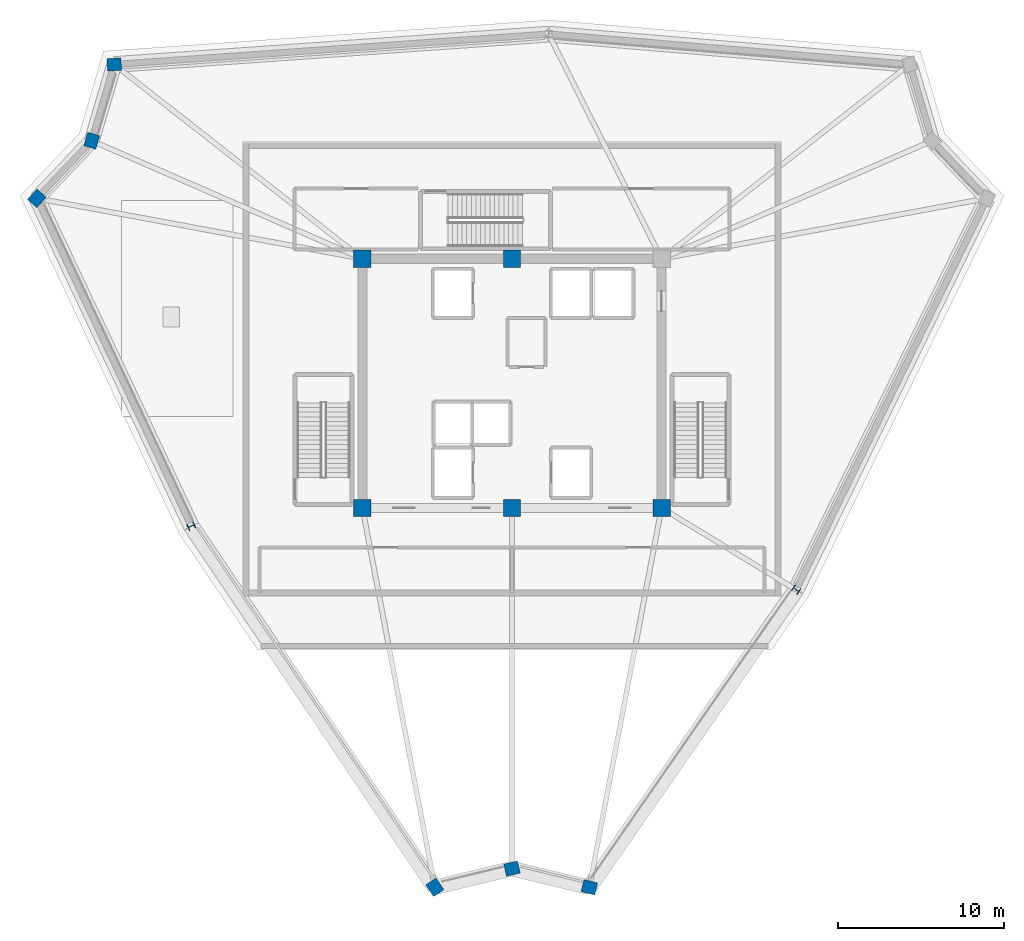
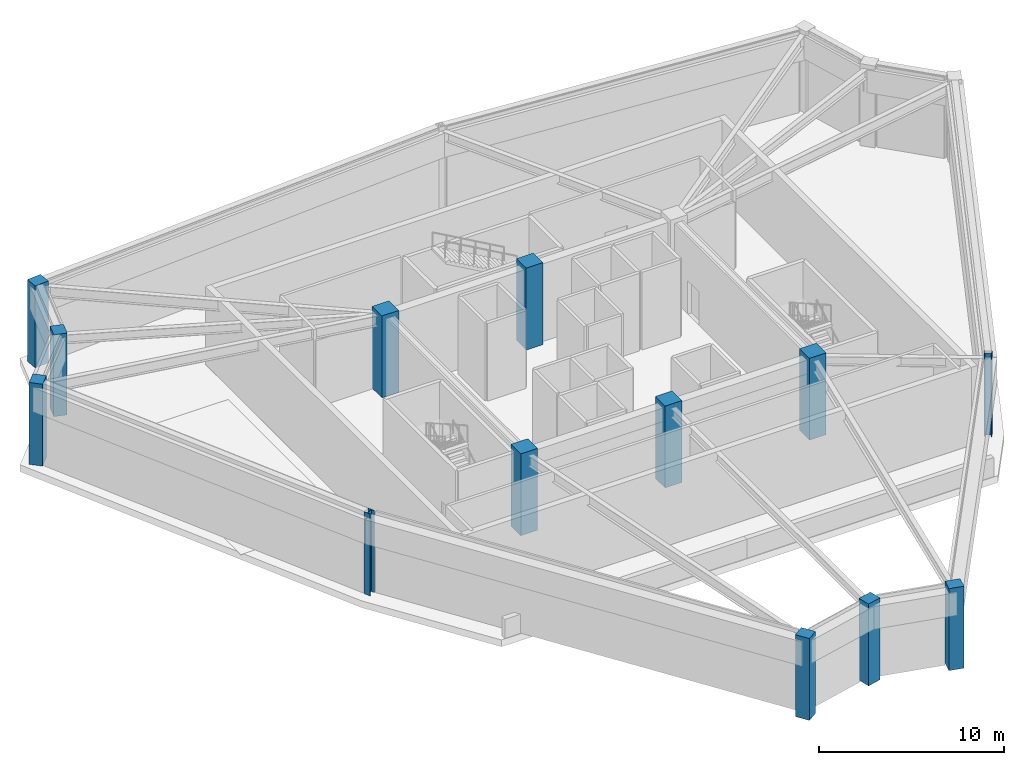
# One storey, part 1 of 8: 13 columns.
"""IFC4 building model written with IfcOpenShell, lengths in metres."""

from ifc_helpers import new_model, si_unit, direction, frame, origin, origin_2d, place, context, subcontext, project, spatial, rectangle, i_section, extrude, source, transform, mapped, material, material_profile, profile_set, type_object, element, save


model = new_model("IFC4")

# Units and contexts
model_context = context("Model", 3, precision=1e-05, world=origin(), true_north=direction((0.0, 1.0)))
body_context = subcontext(model_context, "Body", "Model", "MODEL_VIEW")
ifc_project = project(units=[si_unit("LENGTHUNIT", "METRE"), si_unit("AREAUNIT", "SQUARE_METRE"), si_unit("VOLUMEUNIT", "CUBIC_METRE"), si_unit("PLANEANGLEUNIT", "RADIAN"), si_unit("MASSUNIT", "GRAM", prefix="KILO")], contexts=[model_context])

# Site, building, storey
site_placement = place(None, origin())
site = spatial("IfcSite", under=ifc_project, at=site_placement, CompositionType="ELEMENT")
building_placement = place(site_placement, origin())
building = spatial("IfcBuilding", under=site, at=building_placement, Name="Liaohun Quay Tower", CompositionType="ELEMENT")
storey_placement = place(building_placement, frame((0.0, 0.0, 360.60009765625)))
storey = spatial("IfcBuildingStorey", under=building, at=storey_placement, Name="L93", CompositionType="ELEMENT", Elevation=360.60009765625)

# Columns
ifc_material_1 = material(Name="Concrete C50", Category="concrete")
ifc_material_profile_1 = material_profile(ifc_material_1, rectangle(XDim=1.050048828125, YDim=1.050048828125, at=origin_2d()), Name="RC1050x1050")
ifc_profile_set_1 = profile_set([ifc_material_profile_1], Name="Concrete C50")
column_type_1 = type_object("IfcColumnType", Name="COL-CC-CR", PredefinedType="COLUMN", material=ifc_profile_set_1)
shared_shape_1 = source(origin(), body_context, "Body", "SweptSolid", [
    extrude(rectangle(XDim=1.050048828125, YDim=1.050048828125, at=origin_2d()), origin(), (0.0, 0.0, 1.0), 5.39990234375),
])
for number, where, z_axis, x_axis, name in (
    (1, (51.0, 46.5, 0.0), (0.0, 0.0, 1.0), (1.0, 0.0, 0.0), "L93 Core Column CC1"),
    (2, (60.0, 46.5, 0.0), (0.0, 0.0, 1.0), (1.0, 0.0, 0.0), "L93 Core Column CC2"),
    (3, (69.0, 46.5, 0.0), (0.0, 0.0, 1.0), (1.0, 0.0, 0.0), "L93 Core Column CC3"),
    (4, (60.0, 61.5, 0.0), (0.0, 0.0, 1.0), (1.0, 0.0, 0.0), "L93 Core Column CC5"),
    (5, (51.0, 61.5, 0.0), (0.0, 0.0, 1.0), (1.0, 0.0, 0.0), "L93 Core Column CC6"),
):
    element("IfcColumn", number, at=place(storey_placement, frame(where, z_axis=z_axis, x_axis=x_axis)), inside=storey, type_object=column_type_1, Name=name, PredefinedType="COLUMN", context=body_context, shape_type="MappedRepresentation", body=[
        mapped(shared_shape_1, transform((0.0, 0.0, 0.0), x_axis=(1.0, 0.0, 0.0), y_axis=(0.0, 1.0, 0.0), z_axis=(0.0, 0.0, 1.0), scale=1.0)),
    ])
ifc_material_profile_2 = material_profile(ifc_material_1, rectangle(XDim=0.85009765625, YDim=0.75, at=origin_2d()), Name="RC850x750")
ifc_profile_set_2 = profile_set([ifc_material_profile_2], Name="Concrete C50")
column_type_2 = type_object("IfcColumnType", Name="COL-PIER-CR", PredefinedType="COLUMN", material=ifc_profile_set_2)
shared_shape_2 = source(origin(), body_context, "Body", "SweptSolid", [
    extrude(rectangle(XDim=0.85009765625, YDim=0.75, at=origin_2d()), origin(), (0.0, 0.0, 1.0), 5.39990234375),
])
for number, where, z_axis, x_axis, name in (
    (6, (55.35400390625, 23.677978515625, 0.0), (0.0, 0.0, 1.0), (-0.559192903471, 0.829037572555, 0.0), "L93 Perimeter Pier PC01"),
    (7, (31.410888671875, 65.131103515625, 0.0), (0.0, 0.0, 1.0), (0.68936671806, 0.724412539946, 0.0), "L93 Perimeter Pier PC03"),
    (8, (34.7119140625, 68.60009765625, 0.0), (0.0, 0.0, 1.0), (0.282676303383, 0.959215360337, 0.0), "L93 Perimeter Pier PC04"),
    (9, (36.06298828125, 73.18505859375, 0.0), (0.0, 0.0, 1.0), (0.99756405026, 0.069756473744, 0.0), "L93 Perimeter Pier PC05"),
    (10, (64.655029296875, 23.676025390625, 0.0), (0.0, 0.0, 1.0), (-0.972083987461, 0.234633163303, 0.0), "L93 Perimeter Pier PC11"),
    (11, (60.0, 24.799072265625, 0.0), (0.0, 0.0, 1.0), (0.972083987461, 0.234633163303, 0.0), "L93 Perimeter Pier PC12"),
):
    element("IfcColumn", number, at=place(storey_placement, frame(where, z_axis=z_axis, x_axis=x_axis)), inside=storey, type_object=column_type_2, Name=name, PredefinedType="COLUMN", context=body_context, shape_type="MappedRepresentation", body=[
        mapped(shared_shape_2, transform((0.0, 0.0, 0.0), x_axis=(1.0, 0.0, 0.0), y_axis=(0.0, 1.0, 0.0), z_axis=(0.0, 0.0, 1.0), scale=1.0)),
    ])
ifc_material_2 = material(Name="Steel Q420D", Category="steel")
ifc_material_profile_3 = material_profile(ifc_material_2, i_section(OverallWidth=0.406982421875, OverallDepth=0.427978515625, WebThickness=0.02001953125, FlangeThickness=0.034912109375, at=origin_2d()), Name="HW428x407x20x35")
ifc_profile_set_3 = profile_set([ifc_material_profile_3], Name="Steel Q420D")
column_type_3 = type_object("IfcColumnType", Name="COL-STL-CR1", PredefinedType="COLUMN", material=ifc_profile_set_3)
shared_shape_3 = source(origin(), body_context, "Body", "SweptSolid", [
    extrude(i_section(OverallWidth=0.406982421875, OverallDepth=0.427978515625, WebThickness=0.02001953125, FlangeThickness=0.034912109375, at=origin_2d()), origin(), (0.0, 0.0, 1.0), 5.39990234375),
])
for number, where, z_axis, x_axis, name in (
    (12, (40.698974609375, 45.405029296875, 0.0), (0.0, 0.0, 1.0), (-0.425937207192, 0.90475272618, 0.0), "L93 Perimeter Pier PC02"),
    (13, (77.094970703125, 41.58203125, 0.0), (0.0, 0.0, 1.0), (0.570570241419, 0.821248804935, 0.0), "L93 Perimeter Pier PC10"),
):
    element("IfcColumn", number, at=place(storey_placement, frame(where, z_axis=z_axis, x_axis=x_axis)), inside=storey, type_object=column_type_3, Name=name, PredefinedType="COLUMN", context=body_context, shape_type="MappedRepresentation", body=[
        mapped(shared_shape_3, transform((0.0, 0.0, 0.0), x_axis=(1.0, 0.0, 0.0), y_axis=(0.0, 1.0, 0.0), z_axis=(0.0, 0.0, 1.0), scale=1.0)),
    ])

save(model, "model.ifc")
